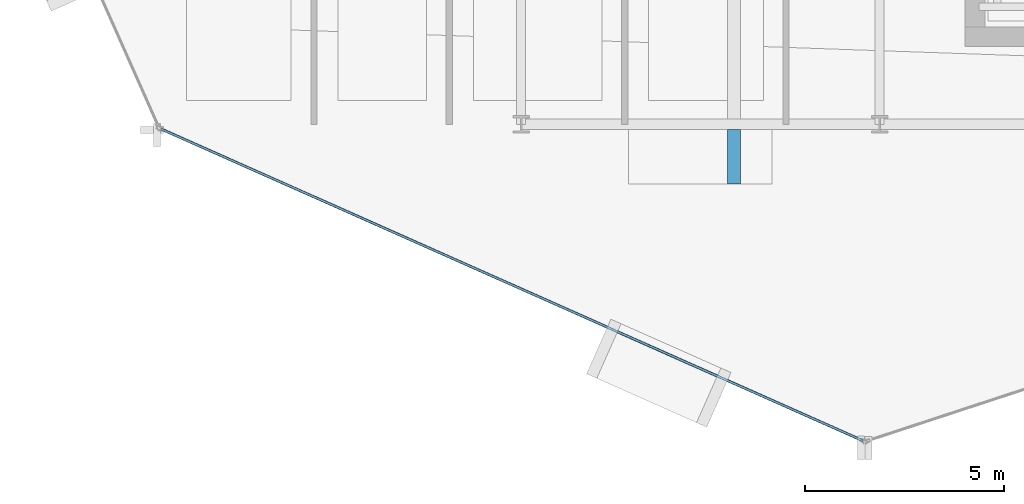
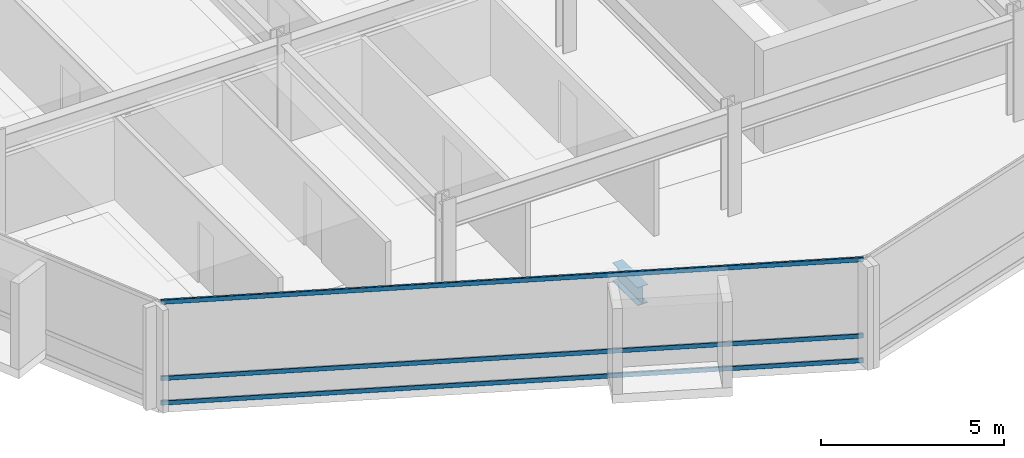
# One storey, part 3 of 28: 3 members, 1 beam, 1 element without a shape of its own.
"""IFC4 building model written with IfcOpenShell, lengths in metres."""

from ifc_helpers import new_model, si_unit, direction, frame, origin, origin_2d, place, context, subcontext, project, spatial, hollow_rectangle, i_section, extrude, material, layer, layer_set, material_profile, profile_set, type_object, element, aggregate, save


model = new_model("IFC4")

# Units and contexts
model_context = context("Model", 3, precision=1e-05, world=origin(), true_north=direction((0.0, 1.0)))
body_context = subcontext(model_context, "Body", "Model", "MODEL_VIEW")
ifc_project = project(units=[si_unit("LENGTHUNIT", "METRE"), si_unit("AREAUNIT", "SQUARE_METRE"), si_unit("VOLUMEUNIT", "CUBIC_METRE"), si_unit("PLANEANGLEUNIT", "RADIAN"), si_unit("MASSUNIT", "GRAM", prefix="KILO")], contexts=[model_context])

# Site, building, storey
site_placement = place(None, origin())
site = spatial("IfcSite", under=ifc_project, at=site_placement, CompositionType="ELEMENT")
building_placement = place(site_placement, origin())
building = spatial("IfcBuilding", under=site, at=building_placement, Name="Solvaryn Broadcast Tower", CompositionType="ELEMENT")
storey_placement = place(building_placement, frame((0.0, 0.0, 158.10009765625)))
storey = spatial("IfcBuildingStorey", under=building, at=storey_placement, Name="L39", CompositionType="ELEMENT", Elevation=158.10009765625)

# Beam
ifc_material_1 = material(Name="Steel ASTM A992 Grade 50", Category="steel")
ifc_material_profile_1 = material_profile(ifc_material_1, i_section(OverallWidth=0.323974609375, OverallDepth=0.611083984375, WebThickness=0.0126953125, FlangeThickness=0.01904296875, FilletRadius=0.014892578125, at=origin_2d()))
ifc_profile_set_1 = profile_set([ifc_material_profile_1], Name="Steel ASTM A992 Grade 50")
beam_type = type_object("IfcBeamType", Name="BM-CANT-TER", PredefinedType="BEAM", material=ifc_profile_set_1)
beam_placement = place(storey_placement, frame((23.35009765625, 8.875, -0.585693359375), z_axis=(0.0, -1.0, 0.0), x_axis=(1.0, 0.0, 0.0)))
element("IfcBeam", 1, at=beam_placement, inside=storey, type_object=beam_type, Name="L39 Bay-Box Cantilever Bracket 1", PredefinedType="BEAM", context=body_context, shape_type="SweptSolid", body=[
    extrude(i_section(OverallWidth=0.323974609375, OverallDepth=0.611083984375, WebThickness=0.0126953125, FlangeThickness=0.01904296875, FilletRadius=0.014892578125, at=origin_2d()), origin(), (0.0, 0.0, 1.0), 1.375),
])

# Curtain wall, members
ifc_material_2 = material(Name="Aluminium and Terracotta Unitised Curtain Wall", Category="masonry")
ifc_layer = layer(ifc_material_2, 0.199951171875)
ifc_layer_set = layer_set([ifc_layer], Name="CW-SYS2-LOWMID")
curtain_wall_type = type_object("IfcCurtainWallType", Name="CW-SYS2-LOWMID", PredefinedType="NOTDEFINED", material=ifc_layer_set)
curtain_wall_placement = place(storey_placement, origin())
curtain_wall = element("IfcCurtainWall", 2, at=curtain_wall_placement, inside=storey, type_object=curtain_wall_type, Name="L39 Curtain Wall DR3", PredefinedType="NOTDEFINED")
ifc_material_3 = material(Name="Anodised Aluminium 6063-T6", Category="aluminium")
ifc_material_profile_2 = material_profile(ifc_material_3, hollow_rectangle(XDim=0.06494140625, YDim=0.14990234375, WallThickness=0.00390625, InnerFilletRadius=0.00390625, OuterFilletRadius=0.008056640625, at=origin_2d()))
ifc_profile_set_2 = profile_set([ifc_material_profile_2], Name="Anodised Aluminium 6063-T6")
member_type = type_object("IfcMemberType", Name="CW-TRN-150", PredefinedType="USERDEFINED", material=ifc_profile_set_2)
member_1_placement = place(storey_placement, frame((8.962890625, 8.883544921875, 0.02978515625), z_axis=(0.913909703223, -0.405917546252, 0.0), x_axis=(0.405917546252, 0.913909703223, 0.0)))
member_1 = element("IfcMember", 3, at=member_1_placement, type_object=member_type, Name="CWS2 transom 1.1", ObjectType="TRANSOM", PredefinedType="USERDEFINED", context=body_context, shape_type="SweptSolid", body=[
    extrude(hollow_rectangle(XDim=0.06494140625, YDim=0.14990234375, WallThickness=0.00390625, InnerFilletRadius=0.00390625, OuterFilletRadius=0.008056640625, at=origin_2d()), origin(), (0.0, 0.0, 1.0), 19.27783203125),
])
member_2_placement = place(storey_placement, frame((8.962890625, 8.883544921875, 0.849853515625), z_axis=(0.913909703223, -0.405917546252, 0.0), x_axis=(0.405917546252, 0.913909703223, 0.0)))
member_2 = element("IfcMember", 4, at=member_2_placement, type_object=member_type, Name="CWS2 transom 1.2", ObjectType="TRANSOM", PredefinedType="USERDEFINED", context=body_context, shape_type="SweptSolid", body=[
    extrude(hollow_rectangle(XDim=0.06494140625, YDim=0.14990234375, WallThickness=0.00390625, InnerFilletRadius=0.00390625, OuterFilletRadius=0.008056640625, at=origin_2d()), origin(), (0.0, 0.0, 1.0), 19.27783203125),
])
member_3_placement = place(storey_placement, frame((8.962890625, 8.883544921875, 3.389892578125), z_axis=(0.913909703223, -0.405917546252, 0.0), x_axis=(0.405917546252, 0.913909703223, 0.0)))
member_3 = element("IfcMember", 5, at=member_3_placement, type_object=member_type, Name="CWS2 transom 1.3", ObjectType="TRANSOM", PredefinedType="USERDEFINED", context=body_context, shape_type="SweptSolid", body=[
    extrude(hollow_rectangle(XDim=0.06494140625, YDim=0.14990234375, WallThickness=0.00390625, InnerFilletRadius=0.00390625, OuterFilletRadius=0.008056640625, at=origin_2d()), origin(), (0.0, 0.0, 1.0), 19.27783203125),
])
aggregate(curtain_wall, [member_1, member_2, member_3])

save(model, "model.ifc")
